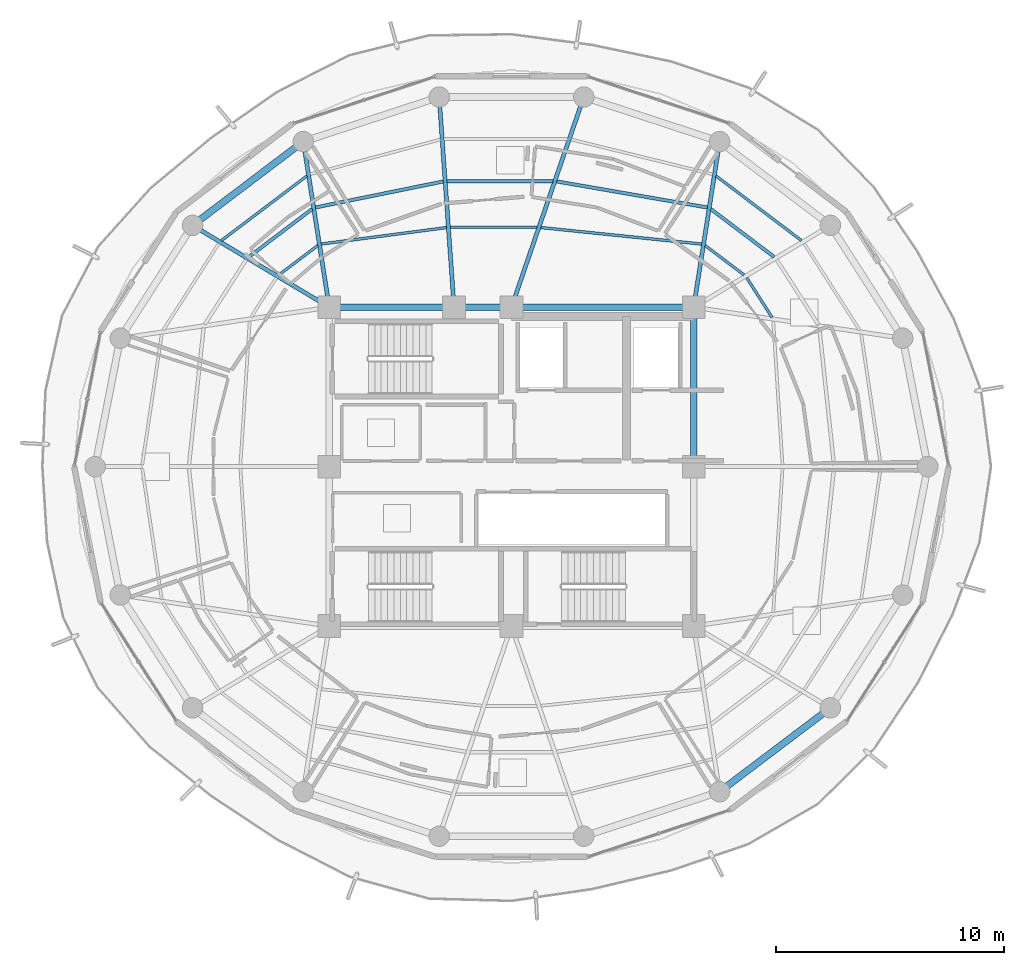
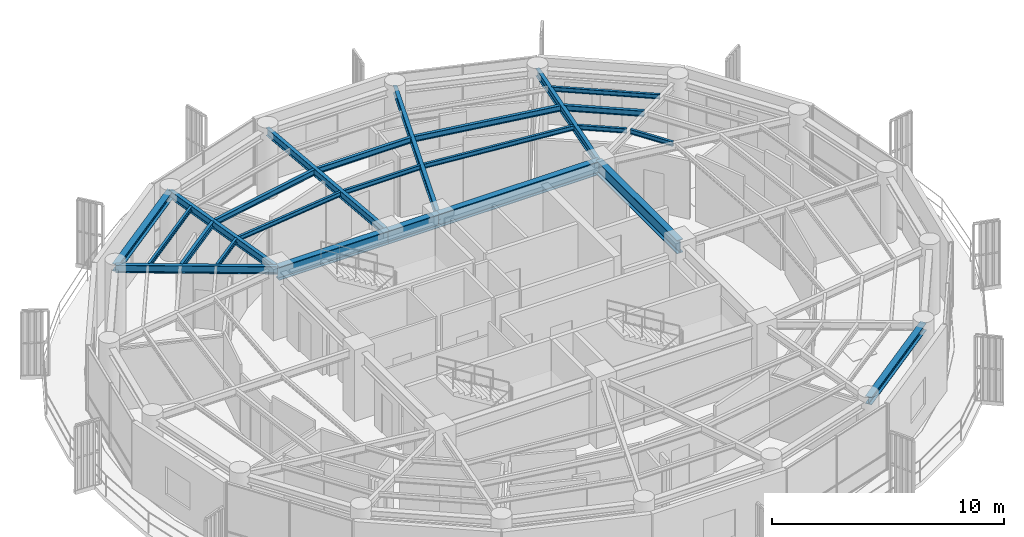
# One storey, part 9 of 23: 24 beams.
"""IFC4 building model written with IfcOpenShell, lengths in metres."""

from ifc_helpers import new_model, si_unit, direction, frame, origin, origin_2d, place, context, subcontext, project, spatial, i_section, extrude, material, material_profile, profile_set, type_object, element, save


model = new_model("IFC4")

# Units and contexts
model_context = context("Model", 3, precision=1e-05, world=origin(), true_north=direction((0.0, 1.0)))
body_context = subcontext(model_context, "Body", "Model", "MODEL_VIEW")
ifc_project = project(units=[si_unit("LENGTHUNIT", "METRE"), si_unit("AREAUNIT", "SQUARE_METRE"), si_unit("VOLUMEUNIT", "CUBIC_METRE"), si_unit("PLANEANGLEUNIT", "RADIAN"), si_unit("MASSUNIT", "GRAM", prefix="KILO")], contexts=[model_context])

# Site, building, storey
site_placement = place(None, origin())
site = spatial("IfcSite", under=ifc_project, at=site_placement, CompositionType="ELEMENT")
building_placement = place(site_placement, origin())
building = spatial("IfcBuilding", under=site, at=building_placement, Name="Kelanora Arch Commons", CompositionType="ELEMENT")
storey_placement = place(building_placement, frame((0.0, 0.0, 278.699951171875)))
storey = spatial("IfcBuildingStorey", under=building, at=storey_placement, Name="L71", CompositionType="ELEMENT", Elevation=278.699951171875)

# Beams
ifc_material = material(Name="Steel S355", Category="steel")
ifc_material_profile_1 = material_profile(ifc_material, i_section(OverallWidth=0.300048828125, OverallDepth=0.699951171875, WebThickness=0.01708984375, FlangeThickness=0.031982421875, FilletRadius=0.027099609375, at=origin_2d()), Name="HEB700")
ifc_profile_set_1 = profile_set([ifc_material_profile_1], Name="Steel S355")
beam_type_1 = type_object("IfcBeamType", Name="BM-CORE-HDR", PredefinedType="BEAM", material=ifc_profile_set_1)
beam_1_placement = place(storey_placement, frame((82.0, 58.0, 3.14013671875), z_axis=(0.0, 1.0, 0.0), x_axis=(-1.0, 0.0, 0.0)))
element("IfcBeam", 1, at=beam_1_placement, inside=storey, type_object=beam_type_1, Name="Core Header Beam 04 L71", PredefinedType="BEAM", context=body_context, shape_type="SweptSolid", body=[
    extrude(i_section(OverallWidth=0.300048828125, OverallDepth=0.699951171875, WebThickness=0.01708984375, FlangeThickness=0.031982421875, FilletRadius=0.027099609375, at=origin_2d()), origin(), (0.0, 0.0, 1.0), 7.0),
])
beam_2_placement = place(storey_placement, frame((82.0, 65.0, 3.14013671875), z_axis=(-1.0, 0.0, 0.0), x_axis=(0.0, -1.0, 0.0)))
element("IfcBeam", 2, at=beam_2_placement, inside=storey, type_object=beam_type_1, Name="Core Header Beam 05 L71", PredefinedType="BEAM", context=body_context, shape_type="SweptSolid", body=[
    extrude(i_section(OverallWidth=0.300048828125, OverallDepth=0.699951171875, WebThickness=0.01708984375, FlangeThickness=0.031982421875, FilletRadius=0.027099609375, at=origin_2d()), origin(), (0.0, 0.0, 1.0), 8.0),
])
beam_3_placement = place(storey_placement, frame((74.0, 65.0, 3.14013671875), z_axis=(-1.0, 0.0, 0.0), x_axis=(0.0, -1.0, 0.0)))
element("IfcBeam", 3, at=beam_3_placement, inside=storey, type_object=beam_type_1, Name="Core Header Beam 06 L71", PredefinedType="BEAM", context=body_context, shape_type="SweptSolid", body=[
    extrude(i_section(OverallWidth=0.300048828125, OverallDepth=0.699951171875, WebThickness=0.01708984375, FlangeThickness=0.031982421875, FilletRadius=0.027099609375, at=origin_2d()), origin(), (0.0, 0.0, 1.0), 2.52001953125),
])
beam_4_placement = place(storey_placement, frame((71.47998046875, 65.0, 3.14013671875), z_axis=(-1.0, 0.0, 0.0), x_axis=(0.0, -1.0, 0.0)))
element("IfcBeam", 4, at=beam_4_placement, inside=storey, type_object=beam_type_1, Name="Core Header Beam 07 L71", PredefinedType="BEAM", context=body_context, shape_type="SweptSolid", body=[
    extrude(i_section(OverallWidth=0.300048828125, OverallDepth=0.699951171875, WebThickness=0.01708984375, FlangeThickness=0.031982421875, FilletRadius=0.027099609375, at=origin_2d()), origin(), (0.0, 0.0, 1.0), 5.47998046875),
])
ifc_material_profile_2 = material_profile(ifc_material, i_section(OverallWidth=0.14990234375, OverallDepth=0.300048828125, WebThickness=0.007080078125, FlangeThickness=0.0107421875, FilletRadius=0.014892578125, at=origin_2d()), Name="IPE300")
ifc_profile_set_2 = profile_set([ifc_material_profile_2], Name="Steel S355")
beam_type_2 = type_object("IfcBeamType", Name="BM-JST-01", PredefinedType="JOIST", material=ifc_profile_set_2)
beam_5_placement = place(storey_placement, frame((85.5341796875, 67.20703125, 3.340087890625), z_axis=(-0.797499198801, 0.603320004568, 0.0), x_axis=(-0.603320004568, -0.797499198801, 0.0)))
element("IfcBeam", 5, at=beam_5_placement, inside=storey, type_object=beam_type_2, Name="Secondary Chord Joist BJB-04 L71", PredefinedType="JOIST", context=body_context, shape_type="SweptSolid", body=[
    extrude(i_section(OverallWidth=0.14990234375, OverallDepth=0.300048828125, WebThickness=0.007080078125, FlangeThickness=0.0107421875, FilletRadius=0.014892578125, at=origin_2d()), origin(), (0.0, 0.0, 1.0), 3.489013671875),
])
beam_6_placement = place(storey_placement, frame((82.60009765625, 69.377685546875, 3.340087890625), z_axis=(-0.985321568263, 0.170708544357, 0.0), x_axis=(-0.170708544357, -0.985321568263, 0.0)))
element("IfcBeam", 6, at=beam_6_placement, inside=storey, type_object=beam_type_2, Name="Secondary Chord Joist BJB-06 L71", PredefinedType="JOIST", context=body_context, shape_type="SweptSolid", body=[
    extrude(i_section(OverallWidth=0.14990234375, OverallDepth=0.300048828125, WebThickness=0.007080078125, FlangeThickness=0.0107421875, FilletRadius=0.014892578125, at=origin_2d()), origin(), (0.0, 0.0, 1.0), 6.710205078125),
])
beam_7_placement = place(storey_placement, frame((75.819580078125, 70.537841796875, 3.340087890625), z_axis=(-1.0, 0.0, 0.0), x_axis=(0.0, -1.0, 0.0)))
element("IfcBeam", 7, at=beam_7_placement, inside=storey, type_object=beam_type_2, Name="Secondary Chord Joist BJB-08 L71", PredefinedType="JOIST", context=body_context, shape_type="SweptSolid", body=[
    extrude(i_section(OverallWidth=0.14990234375, OverallDepth=0.300048828125, WebThickness=0.007080078125, FlangeThickness=0.0107421875, FilletRadius=0.014892578125, at=origin_2d()), origin(), (0.0, 0.0, 1.0), 4.647216796875),
])
beam_8_placement = place(storey_placement, frame((71.004150390625, 70.520751953125, 3.340087890625), z_axis=(-0.979913482255, -0.199423086165, 0.0), x_axis=(0.199423086165, -0.979913482255, 0.0)))
element("IfcBeam", 8, at=beam_8_placement, inside=storey, type_object=beam_type_2, Name="Secondary Chord Joist BJB-10 L71", PredefinedType="JOIST", context=body_context, shape_type="SweptSolid", body=[
    extrude(i_section(OverallWidth=0.14990234375, OverallDepth=0.300048828125, WebThickness=0.007080078125, FlangeThickness=0.0107421875, FilletRadius=0.014892578125, at=origin_2d()), origin(), (0.0, 0.0, 1.0), 5.7197265625),
])
beam_9_placement = place(storey_placement, frame((65.248291015625, 69.31201171875, 3.340087890625), z_axis=(-0.797499198801, -0.603320004568, 0.0), x_axis=(0.603320004568, -0.797499198801, 0.0)))
element("IfcBeam", 9, at=beam_9_placement, inside=storey, type_object=beam_type_2, Name="Secondary Chord Joist BJB-12 L71", PredefinedType="JOIST", context=body_context, shape_type="SweptSolid", body=[
    extrude(i_section(OverallWidth=0.14990234375, OverallDepth=0.300048828125, WebThickness=0.007080078125, FlangeThickness=0.0107421875, FilletRadius=0.014892578125, at=origin_2d()), origin(), (0.0, 0.0, 1.0), 3.489013671875),
])
ifc_material_profile_3 = material_profile(ifc_material, i_section(OverallWidth=0.1201171875, OverallDepth=0.239990234375, WebThickness=0.006103515625, FlangeThickness=0.009765625, FilletRadius=0.014892578125, at=origin_2d()), Name="IPE240")
ifc_profile_set_3 = profile_set([ifc_material_profile_3], Name="Steel S355")
beam_type_3 = type_object("IfcBeamType", Name="BM-JST-02", PredefinedType="JOIST", material=ifc_profile_set_3)
beam_10_placement = place(storey_placement, frame((85.441650390625, 64.553466796875, 3.3701171875), z_axis=(-0.539311810315, 0.842106152011, 0.0), x_axis=(-0.842106152011, -0.539311810315, 0.0)))
element("IfcBeam", 10, at=beam_10_placement, inside=storey, type_object=beam_type_3, Name="Secondary Chord Joist BJA-02 L71", PredefinedType="JOIST", context=body_context, shape_type="SweptSolid", body=[
    extrude(i_section(OverallWidth=0.1201171875, OverallDepth=0.239990234375, WebThickness=0.006103515625, FlangeThickness=0.009765625, FilletRadius=0.014892578125, at=origin_2d()), origin(), (0.0, 0.0, 1.0), 2.06640625),
])
beam_11_placement = place(storey_placement, frame((84.21337890625, 66.416748046875, 3.3701171875), z_axis=(-0.797509883882, 0.603305880222, 0.0), x_axis=(-0.603305880222, -0.797509883882, 0.0)))
element("IfcBeam", 11, at=beam_11_placement, inside=storey, type_object=beam_type_3, Name="Secondary Chord Joist BJA-04 L71", PredefinedType="JOIST", context=body_context, shape_type="SweptSolid", body=[
    extrude(i_section(OverallWidth=0.1201171875, OverallDepth=0.239990234375, WebThickness=0.006103515625, FlangeThickness=0.009765625, FilletRadius=0.014892578125, at=origin_2d()), origin(), (0.0, 0.0, 1.0), 2.147216796875),
])
beam_12_placement = place(storey_placement, frame((86.73486328125, 67.92578125, 3.3701171875), z_axis=(-0.79752302984, 0.60328850219, 0.0), x_axis=(-0.60328850219, -0.79752302984, 0.0)))
element("IfcBeam", 12, at=beam_12_placement, inside=storey, type_object=beam_type_3, Name="Secondary Chord Joist BJC-04 L71", PredefinedType="JOIST", context=body_context, shape_type="SweptSolid", body=[
    extrude(i_section(OverallWidth=0.1201171875, OverallDepth=0.239990234375, WebThickness=0.006103515625, FlangeThickness=0.009765625, FilletRadius=0.014892578125, at=origin_2d()), origin(), (0.0, 0.0, 1.0), 4.70849609375),
])
beam_13_placement = place(storey_placement, frame((82.3486328125, 67.772216796875, 3.3701171875), z_axis=(-0.994746545688, 0.102368500239, 0.0), x_axis=(-0.102368500239, -0.994746545688, 0.0)))
element("IfcBeam", 13, at=beam_13_placement, inside=storey, type_object=beam_type_3, Name="Secondary Chord Joist BJA-06 L71", PredefinedType="JOIST", context=body_context, shape_type="SweptSolid", body=[
    extrude(i_section(OverallWidth=0.1201171875, OverallDepth=0.239990234375, WebThickness=0.006103515625, FlangeThickness=0.009765625, FilletRadius=0.014892578125, at=origin_2d()), origin(), (0.0, 0.0, 1.0), 7.09521484375),
])
beam_14_placement = place(storey_placement, frame((75.12109375, 68.507080078125, 3.3701171875), z_axis=(-1.0, 0.0, 0.0), x_axis=(0.0, -1.0, 0.0)))
element("IfcBeam", 14, at=beam_14_placement, inside=storey, type_object=beam_type_3, Name="Secondary Chord Joist BJA-08 L71", PredefinedType="JOIST", context=body_context, shape_type="SweptSolid", body=[
    extrude(i_section(OverallWidth=0.1201171875, OverallDepth=0.239990234375, WebThickness=0.006103515625, FlangeThickness=0.009765625, FilletRadius=0.014892578125, at=origin_2d()), origin(), (0.0, 0.0, 1.0), 3.8046875),
])
beam_15_placement = place(storey_placement, frame((71.147216796875, 68.49609375, 3.3701171875), z_axis=(-0.991489038745, -0.130190191832, 0.0), x_axis=(0.130190191832, -0.991489038745, 0.0)))
element("IfcBeam", 15, at=beam_15_placement, inside=storey, type_object=beam_type_3, Name="Secondary Chord Joist BJA-10 L71", PredefinedType="JOIST", context=body_context, shape_type="SweptSolid", body=[
    extrude(i_section(OverallWidth=0.1201171875, OverallDepth=0.239990234375, WebThickness=0.006103515625, FlangeThickness=0.009765625, FilletRadius=0.014892578125, at=origin_2d()), origin(), (0.0, 0.0, 1.0), 5.543212890625),
])
beam_16_placement = place(storey_placement, frame((65.4990234375, 67.712158203125, 3.3701171875), z_axis=(-0.797509883882, -0.603305880222, 0.0), x_axis=(0.603305880222, -0.797509883882, 0.0)))
element("IfcBeam", 16, at=beam_16_placement, inside=storey, type_object=beam_type_3, Name="Secondary Chord Joist BJA-12 L71", PredefinedType="JOIST", context=body_context, shape_type="SweptSolid", body=[
    extrude(i_section(OverallWidth=0.1201171875, OverallDepth=0.239990234375, WebThickness=0.006103515625, FlangeThickness=0.009765625, FilletRadius=0.014892578125, at=origin_2d()), origin(), (0.0, 0.0, 1.0), 2.147216796875),
])
beam_17_placement = place(storey_placement, frame((65.020263671875, 70.766357421875, 3.3701171875), z_axis=(-0.79752302984, -0.60328850219, 0.0), x_axis=(0.60328850219, -0.79752302984, 0.0)))
element("IfcBeam", 17, at=beam_17_placement, inside=storey, type_object=beam_type_3, Name="Secondary Chord Joist BJC-12 L71", PredefinedType="JOIST", context=body_context, shape_type="SweptSolid", body=[
    extrude(i_section(OverallWidth=0.1201171875, OverallDepth=0.239990234375, WebThickness=0.006103515625, FlangeThickness=0.009765625, FilletRadius=0.014892578125, at=origin_2d()), origin(), (0.0, 0.0, 1.0), 4.70849609375),
])
ifc_material_profile_4 = material_profile(ifc_material, i_section(OverallWidth=0.179931640625, OverallDepth=0.39990234375, WebThickness=0.008544921875, FlangeThickness=0.013427734375, FilletRadius=0.02099609375, at=origin_2d()), Name="IPE400")
ifc_profile_set_4 = profile_set([ifc_material_profile_4], Name="Steel S355")
beam_type_4 = type_object("IfcBeamType", Name="BM-RAD-Z5", PredefinedType="BEAM", material=ifc_profile_set_4)
beam_18_placement = place(storey_placement, frame((82.0, 65.0, 3.2900390625), z_axis=(0.154855424129, 0.987937142544, 0.0), x_axis=(-0.987937142544, 0.154855424129, 0.0)))
element("IfcBeam", 18, at=beam_18_placement, inside=storey, type_object=beam_type_4, Name="Radial Floor Girder BR-06 L71", PredefinedType="BEAM", context=body_context, shape_type="SweptSolid", body=[
    extrude(i_section(OverallWidth=0.179931640625, OverallDepth=0.39990234375, WebThickness=0.008544921875, FlangeThickness=0.013427734375, FilletRadius=0.02099609375, at=origin_2d()), origin(), (0.0, 0.0, 1.0), 7.361083984375),
])
beam_19_placement = place(storey_placement, frame((74.0, 65.0, 3.2900390625), z_axis=(0.325233562807, 0.945633718532, 0.0), x_axis=(-0.945633718532, 0.325233562807, 0.0)))
element("IfcBeam", 19, at=beam_19_placement, inside=storey, type_object=beam_type_4, Name="Radial Floor Girder BR-08 L71", PredefinedType="BEAM", context=body_context, shape_type="SweptSolid", body=[
    extrude(i_section(OverallWidth=0.179931640625, OverallDepth=0.39990234375, WebThickness=0.008544921875, FlangeThickness=0.013427734375, FilletRadius=0.02099609375, at=origin_2d()), origin(), (0.0, 0.0, 1.0), 9.760009765625),
])
beam_20_placement = place(storey_placement, frame((71.47998046875, 65.0, 3.2900390625), z_axis=(-0.070714497892, 0.997496596379, 0.0), x_axis=(-0.997496596379, -0.070714497892, 0.0)))
element("IfcBeam", 20, at=beam_20_placement, inside=storey, type_object=beam_type_4, Name="Radial Floor Girder BR-10 L71", PredefinedType="BEAM", context=body_context, shape_type="SweptSolid", body=[
    extrude(i_section(OverallWidth=0.179931640625, OverallDepth=0.39990234375, WebThickness=0.008544921875, FlangeThickness=0.013427734375, FilletRadius=0.02099609375, at=origin_2d()), origin(), (0.0, 0.0, 1.0), 9.252685546875),
])
beam_21_placement = place(storey_placement, frame((66.0, 65.0, 3.2900390625), z_axis=(-0.154855424129, 0.987937142544, 0.0), x_axis=(-0.987937142544, -0.154855424129, 0.0)))
element("IfcBeam", 21, at=beam_21_placement, inside=storey, type_object=beam_type_4, Name="Radial Floor Girder BR-12 L71", PredefinedType="BEAM", context=body_context, shape_type="SweptSolid", body=[
    extrude(i_section(OverallWidth=0.179931640625, OverallDepth=0.39990234375, WebThickness=0.008544921875, FlangeThickness=0.013427734375, FilletRadius=0.02099609375, at=origin_2d()), origin(), (0.0, 0.0, 1.0), 7.361083984375),
])
beam_22_placement = place(storey_placement, frame((66.0, 65.0, 3.2900390625), z_axis=(-0.858062005744, 0.513546097541, 0.0), x_axis=(-0.513546097541, -0.858062005744, 0.0)))
element("IfcBeam", 22, at=beam_22_placement, inside=storey, type_object=beam_type_4, Name="Radial Floor Girder BR-14 L71", PredefinedType="BEAM", context=body_context, shape_type="SweptSolid", body=[
    extrude(i_section(OverallWidth=0.179931640625, OverallDepth=0.39990234375, WebThickness=0.008544921875, FlangeThickness=0.013427734375, FilletRadius=0.02099609375, at=origin_2d()), origin(), (0.0, 0.0, 1.0), 6.99658203125),
])
ifc_material_profile_5 = material_profile(ifc_material, i_section(OverallWidth=0.300048828125, OverallDepth=0.39990234375, WebThickness=0.013427734375, FlangeThickness=0.02392578125, FilletRadius=0.027099609375, at=origin_2d()), Name="HEB400")
ifc_profile_set_5 = profile_set([ifc_material_profile_5], Name="Steel S355")
beam_type_5 = type_object("IfcBeamType", Name="BM-SPN-Z4", PredefinedType="SPANDREL", material=ifc_profile_set_5)
for number, where, z_axis, x_axis, name in (
    (23, (64.860107421875, 72.272216796875, 3.2900390625), (-0.797509460967, -0.603306439273, 0.0), (0.603306439273, -0.797509460967, 0.0), "Perimeter Spandrel Beam BS-12 L71"),
    (24, (83.139892578125, 43.727783203125, 3.2900390625), (0.797509460967, 0.603306439273, 0.0), (-0.603306439273, 0.797509460967, 0.0), "Perimeter Spandrel Beam BS-30 L71"),
):
    element("IfcBeam", number, at=place(storey_placement, frame(where, z_axis=z_axis, x_axis=x_axis)), inside=storey, type_object=beam_type_5, Name=name, PredefinedType="SPANDREL", context=body_context, shape_type="SweptSolid", body=[
        extrude(i_section(OverallWidth=0.300048828125, OverallDepth=0.39990234375, WebThickness=0.013427734375, FlangeThickness=0.02392578125, FilletRadius=0.027099609375, at=origin_2d()), origin(), (0.0, 0.0, 1.0), 6.098388671875),
    ])

save(model, "model.ifc")
